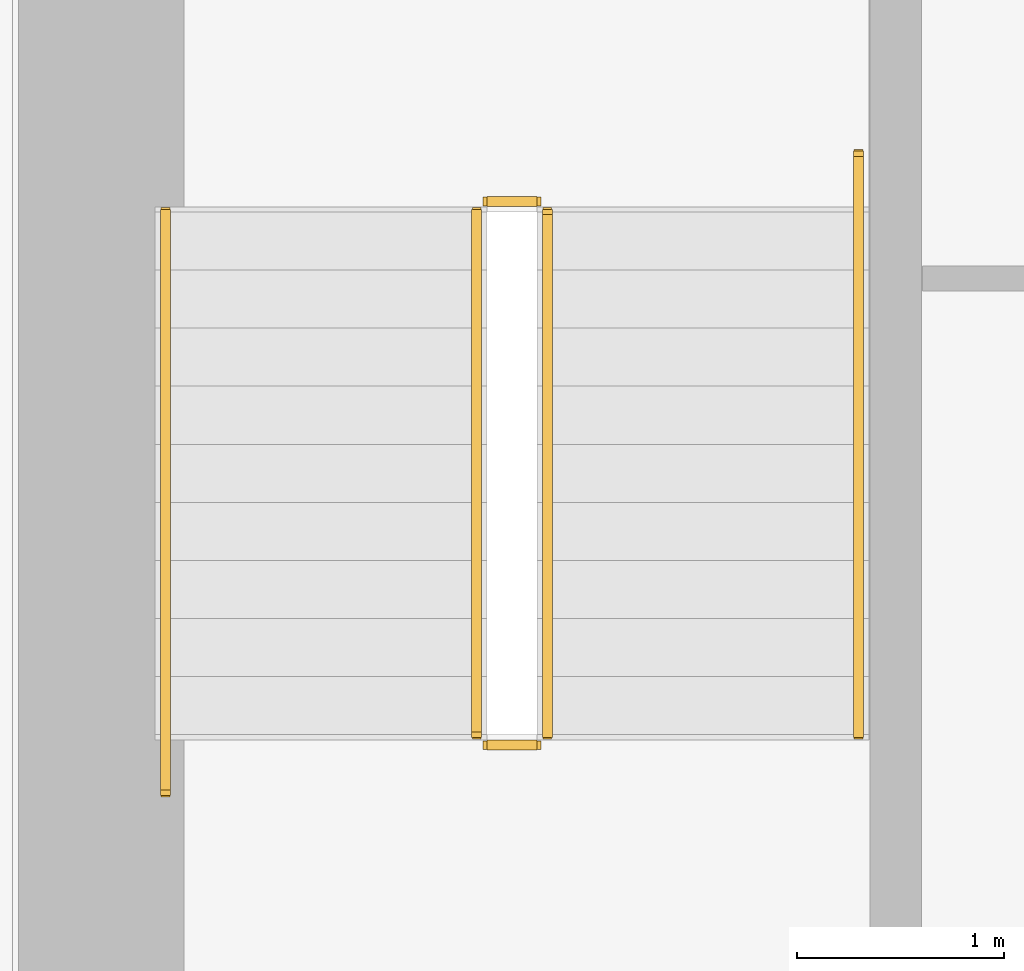
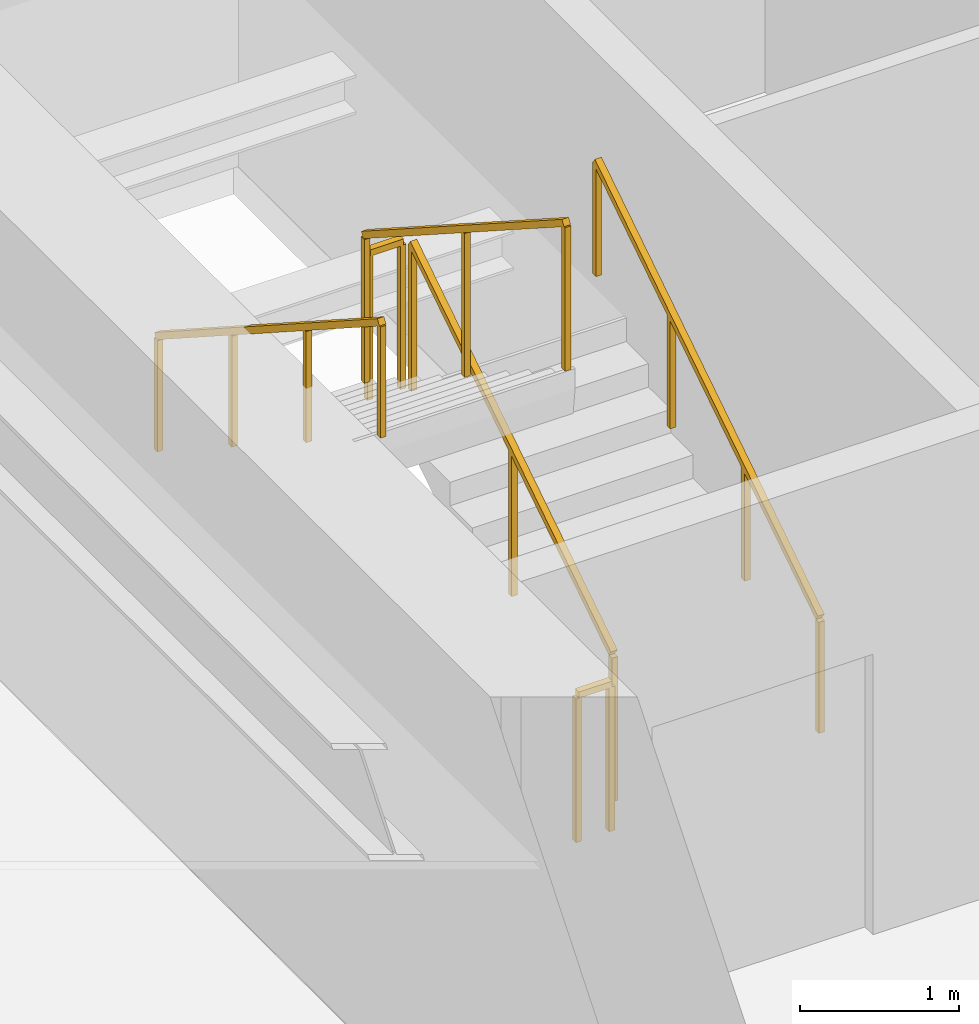
# One storey, part 30 of 33: 6 railings.
"""IFC4 building model written with IfcOpenShell, lengths in metres."""

from ifc_helpers import new_model, si_unit, direction, frame, origin, origin_2d, place, context, subcontext, project, spatial, rectangle, extrude, material, type_object, element, save


model = new_model("IFC4")

# Units and contexts
model_context = context("Model", 3, precision=1e-05, world=origin(), true_north=direction((0.0, 1.0)))
body_context = subcontext(model_context, "Body", "Model", "MODEL_VIEW")
ifc_project = project(units=[si_unit("LENGTHUNIT", "METRE"), si_unit("AREAUNIT", "SQUARE_METRE"), si_unit("VOLUMEUNIT", "CUBIC_METRE"), si_unit("PLANEANGLEUNIT", "RADIAN"), si_unit("MASSUNIT", "GRAM", prefix="KILO")], contexts=[model_context])

# Site, building, storey
site_placement = place(None, origin())
site = spatial("IfcSite", under=ifc_project, at=site_placement, CompositionType="ELEMENT")
building_placement = place(site_placement, origin())
building = spatial("IfcBuilding", under=site, at=building_placement, Name="Sumidabori Civic Tower", CompositionType="ELEMENT")
storey_placement = place(building_placement, frame((0.0, 0.0, 38.0)))
storey = spatial("IfcBuildingStorey", under=building, at=storey_placement, Name="L09", CompositionType="ELEMENT", Elevation=38.0)

# Railings
ifc_material_1 = material(Name="Stainless Steel Hairline Finish", Category="steel")
railing_type_1 = type_object("IfcRailingType", Name="RL-HANDRAIL", PredefinedType="HANDRAIL", material=ifc_material_1)
railing_1_placement = place(storey_placement, frame((-11.949951171875, 16.0, 0.179931640625)))
element("IfcRailing", 1, at=railing_1_placement, inside=storey, type_object=railing_type_1, Name="L09 ST-1 stair handrail 1", PredefinedType="HANDRAIL", context=body_context, shape_type="SweptSolid", body=[
    extrude(rectangle(XDim=0.048095703125, YDim=0.048095703125, at=origin_2d()), frame((0.0, 0.0, 0.8759765625), z_axis=(0.0, 0.84064222762, 0.54159084662), x_axis=(-1.0, 0.0, 0.0)), (0.0, 0.0, 1.0), 3.330810546875),
    extrude(rectangle(XDim=0.0419921875, YDim=0.0419921875, at=origin_2d()), origin(), (0.0, 0.0, 1.0), 0.851806640625),
    extrude(rectangle(XDim=0.0419921875, YDim=0.0419921875, at=origin_2d()), frame((0.0, 0.933349609375, 0.601318359375)), (0.0, 0.0, 1.0), 0.851806640625),
    extrude(rectangle(XDim=0.0419921875, YDim=0.0419921875, at=origin_2d()), frame((0.0, 1.86669921875, 1.20263671875)), (0.0, 0.0, 1.0), 0.851806640625),
    extrude(rectangle(XDim=0.0419921875, YDim=0.0419921875, at=origin_2d()), frame((0.0, 2.800048828125, 1.803955078125)), (0.0, 0.0, 1.0), 0.851806640625),
])
railing_2_placement = place(storey_placement, frame((-15.2900390625, 18.52001953125, 1.97998046875)))
element("IfcRailing", 2, at=railing_2_placement, inside=storey, type_object=railing_type_1, Name="L09 ST-1 stair handrail 2", PredefinedType="HANDRAIL", context=body_context, shape_type="SweptSolid", body=[
    extrude(rectangle(XDim=0.048095703125, YDim=0.048095703125, at=origin_2d()), frame((0.0, 0.0, 0.8759765625), z_axis=(0.0, -0.840675598268, 0.541539046124), x_axis=(1.0, 0.0, 0.0)), (0.0, 0.0, 1.0), 3.330810546875),
    extrude(rectangle(XDim=0.0419921875, YDim=0.0419921875, at=origin_2d()), origin(), (0.0, 0.0, 1.0), 0.851806640625),
    extrude(rectangle(XDim=0.0419921875, YDim=0.0419921875, at=origin_2d()), frame((0.0, -0.933349609375, 0.601318359375)), (0.0, 0.0, 1.0), 0.851806640625),
    extrude(rectangle(XDim=0.0419921875, YDim=0.0419921875, at=origin_2d()), frame((0.0, -1.86669921875, 1.202392578125)), (0.0, 0.0, 1.0), 0.851806640625),
    extrude(rectangle(XDim=0.0419921875, YDim=0.0419921875, at=origin_2d()), frame((0.0, -2.800048828125, 1.8037109375)), (0.0, 0.0, 1.0), 0.851806640625),
])
ifc_material_2 = material(Name="Steel SN490", Category="steel")
railing_type_2 = type_object("IfcRailingType", Name="RL-STAIR-GUARD", PredefinedType="GUARDRAIL", material=ifc_material_2)
railing_3_placement = place(storey_placement, frame((-13.449951171875, 16.0, 0.179931640625)))
element("IfcRailing", 3, at=railing_3_placement, inside=storey, type_object=railing_type_2, Name="L09 ST-1 stair guard 1", PredefinedType="GUARDRAIL", context=body_context, shape_type="SweptSolid", body=[
    extrude(rectangle(XDim=0.048095703125, YDim=0.048095703125, at=origin_2d()), frame((0.0, 0.0, 1.1259765625), z_axis=(0.0, 0.841162588446, 0.540782303519), x_axis=(-1.0, 0.0, 0.0)), (0.0, 0.0, 1.0), 2.995849609375),
    extrude(rectangle(XDim=0.0419921875, YDim=0.0419921875, at=origin_2d()), origin(), (0.0, 0.0, 1.0), 1.101806640625),
    extrude(rectangle(XDim=0.0419921875, YDim=0.0419921875, at=origin_2d()), frame((0.0, 1.260009765625, 0.81005859375)), (0.0, 0.0, 1.0), 1.101806640625),
    extrude(rectangle(XDim=0.0419921875, YDim=0.0419921875, at=origin_2d()), frame((0.0, 2.52001953125, 1.6201171875)), (0.0, 0.0, 1.0), 1.101806640625),
])
railing_4_placement = place(storey_placement, frame((-13.5, 18.570068359375, 1.800048828125)))
element("IfcRailing", 4, at=railing_4_placement, inside=storey, type_object=railing_type_2, Name="L09 ST-1 stair guard 2", PredefinedType="GUARDRAIL", context=body_context, shape_type="SweptSolid", body=[
    extrude(rectangle(XDim=0.048095703125, YDim=0.048095703125, at=origin_2d()), frame((0.0, 0.0, 1.1259765625), z_axis=(-1.0, 0.0, 0.0), x_axis=(0.0, -1.0, 0.0)), (0.0, 0.0, 1.0), 0.239990234375),
    extrude(rectangle(XDim=0.0419921875, YDim=0.0419921875, at=origin_2d()), origin(), (0.0, 0.0, 1.0), 1.101806640625),
    extrude(rectangle(XDim=0.0419921875, YDim=0.0419921875, at=origin_2d()), frame((-0.239990234375, 0.0, 0.0)), (0.0, 0.0, 1.0), 1.101806640625),
])
railing_5_placement = place(storey_placement, frame((-13.7900390625, 18.52001953125, 1.97998046875)))
element("IfcRailing", 5, at=railing_5_placement, inside=storey, type_object=railing_type_2, Name="L09 ST-1 stair guard 3", PredefinedType="GUARDRAIL", context=body_context, shape_type="SweptSolid", body=[
    extrude(rectangle(XDim=0.048095703125, YDim=0.048095703125, at=origin_2d()), frame((0.0, 0.0, 1.1259765625), z_axis=(0.0, -0.841162588446, 0.540782303519), x_axis=(1.0, 0.0, 0.0)), (0.0, 0.0, 1.0), 2.995849609375),
    extrude(rectangle(XDim=0.0419921875, YDim=0.0419921875, at=origin_2d()), origin(), (0.0, 0.0, 1.0), 1.101806640625),
    extrude(rectangle(XDim=0.0419921875, YDim=0.0419921875, at=origin_2d()), frame((0.0, -1.260009765625, 0.81005859375)), (0.0, 0.0, 1.0), 1.101806640625),
    extrude(rectangle(XDim=0.0419921875, YDim=0.0419921875, at=origin_2d()), frame((0.0, -2.52001953125, 1.6201171875)), (0.0, 0.0, 1.0), 1.101806640625),
])
railing_6_placement = place(storey_placement, frame((-13.5, 15.949951171875, 0.0)))
element("IfcRailing", 6, at=railing_6_placement, inside=storey, type_object=railing_type_2, Name="L09 ST-1 stair guard 4", PredefinedType="GUARDRAIL", context=body_context, shape_type="SweptSolid", body=[
    extrude(rectangle(XDim=0.048095703125, YDim=0.048095703125, at=origin_2d()), frame((0.0, 0.0, 1.1259765625), z_axis=(-1.0, 0.0, 0.0), x_axis=(0.0, -1.0, 0.0)), (0.0, 0.0, 1.0), 0.239990234375),
    extrude(rectangle(XDim=0.0419921875, YDim=0.0419921875, at=origin_2d()), origin(), (0.0, 0.0, 1.0), 1.101806640625),
    extrude(rectangle(XDim=0.0419921875, YDim=0.0419921875, at=origin_2d()), frame((-0.239990234375, 0.0, 0.0)), (0.0, 0.0, 1.0), 1.101806640625),
])

save(model, "model.ifc")
